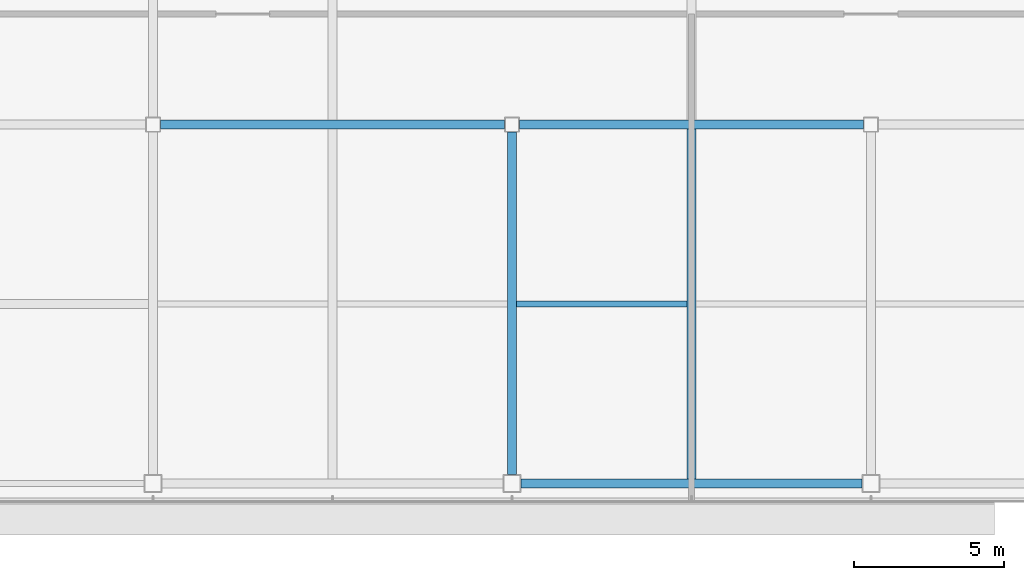
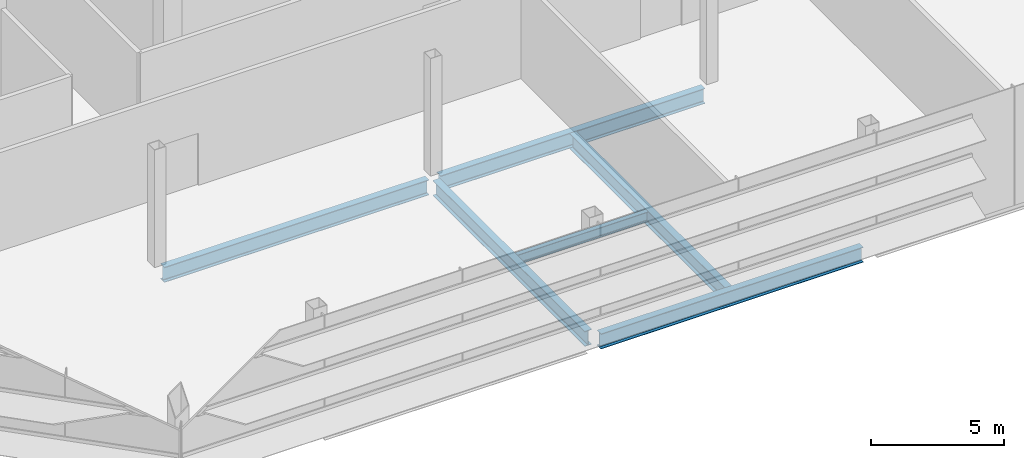
# One storey, part 4 of 26: 6 beams.
"""IFC4 building model written with IfcOpenShell, lengths in metres."""

from ifc_helpers import new_model, si_unit, direction, frame, origin, origin_2d, place, context, subcontext, project, spatial, i_section, extrude, material, material_profile, profile_set, type_object, element, save


model = new_model("IFC4")

# Units and contexts
model_context = context("Model", 3, precision=1e-05, world=origin(), true_north=direction((0.0, 1.0)))
body_context = subcontext(model_context, "Body", "Model", "MODEL_VIEW")
ifc_project = project(units=[si_unit("LENGTHUNIT", "METRE"), si_unit("AREAUNIT", "SQUARE_METRE"), si_unit("VOLUMEUNIT", "CUBIC_METRE"), si_unit("PLANEANGLEUNIT", "RADIAN"), si_unit("MASSUNIT", "GRAM", prefix="KILO")], contexts=[model_context])

# Site, building, storey
site_placement = place(None, origin())
site = spatial("IfcSite", under=ifc_project, at=site_placement, CompositionType="ELEMENT")
building_placement = place(site_placement, origin())
building = spatial("IfcBuilding", under=site, at=building_placement, Name="Sorahane Residences", CompositionType="ELEMENT")
storey_placement = place(building_placement, frame((0.0, 0.0, 257.60009765625)))
storey = spatial("IfcBuildingStorey", under=building, at=storey_placement, Name="L61", CompositionType="ELEMENT", Elevation=257.60009765625)

# Beams
ifc_material_1 = material(Name="Steel Q355B", Category="steel")
ifc_material_profile_1 = material_profile(ifc_material_1, i_section(OverallWidth=0.199951171875, OverallDepth=0.449951171875, WebThickness=0.009033203125, FlangeThickness=0.013916015625, FilletRadius=0.02001953125, at=origin_2d()), Name="HN 450x200x9x14")
ifc_profile_set_1 = profile_set([ifc_material_profile_1], Name="Steel Q355B")
beam_type_1 = type_object("IfcBeamType", Name="Steel floor beam HN 450x200x9x14 Q355B", PredefinedType="BEAM", material=ifc_profile_set_1)
beam_1_placement = place(storey_placement, frame((12.14990234375, 6.0, -0.445068359375), z_axis=(1.0, 0.0, 0.0), x_axis=(0.0, 1.0, 0.0)))
element("IfcBeam", 1, at=beam_1_placement, inside=storey, type_object=beam_type_1, Name="Beam L61 071", PredefinedType="BEAM", context=body_context, shape_type="SweptSolid", body=[
    extrude(i_section(OverallWidth=0.199951171875, OverallDepth=0.449951171875, WebThickness=0.009033203125, FlangeThickness=0.013916015625, FilletRadius=0.02001953125, at=origin_2d()), origin(), (0.0, 0.0, 1.0), 5.7001953125),
])
ifc_material_2 = material(Name="Steel Q355B", Category="steel")
ifc_material_profile_2 = material_profile(ifc_material_2, i_section(OverallWidth=0.300048828125, OverallDepth=0.699951171875, WebThickness=0.012939453125, FlangeThickness=0.02392578125, FilletRadius=0.028076171875, at=origin_2d()), Name="HN 700x300x13x24")
ifc_profile_set_2 = profile_set([ifc_material_profile_2], Name="Steel Q355B")
beam_type_2 = type_object("IfcBeamType", Name="Steel floor beam HN 700x300x13x24 Q355B", PredefinedType="BEAM", material=ifc_profile_set_2)
beam_2_placement = place(storey_placement, frame((12.300048828125, 0.0, -0.570068359375), z_axis=(1.0, 0.0, 0.0), x_axis=(0.0, 1.0, 0.0)))
element("IfcBeam", 2, at=beam_2_placement, inside=storey, type_object=beam_type_2, Name="Beam L61 002", PredefinedType="BEAM", context=body_context, shape_type="SweptSolid", body=[
    extrude(i_section(OverallWidth=0.300048828125, OverallDepth=0.699951171875, WebThickness=0.012939453125, FlangeThickness=0.02392578125, FilletRadius=0.028076171875, at=origin_2d()), origin(), (0.0, 0.0, 1.0), 11.39990234375),
])
for number, where, z_axis, x_axis, name in (
    (3, (0.25, 12.0, -0.570068359375), (1.0, 0.0, 0.0), (0.0, 1.0, 0.0), "Beam L61 006"),
    (4, (12.25, 12.0, -0.570068359375), (1.0, 0.0, 0.0), (0.0, 1.0, 0.0), "Beam L61 007"),
):
    element("IfcBeam", number, at=place(storey_placement, frame(where, z_axis=z_axis, x_axis=x_axis)), inside=storey, type_object=beam_type_2, Name=name, PredefinedType="BEAM", context=body_context, shape_type="SweptSolid", body=[
        extrude(i_section(OverallWidth=0.300048828125, OverallDepth=0.699951171875, WebThickness=0.012939453125, FlangeThickness=0.02392578125, FilletRadius=0.028076171875, at=origin_2d()), origin(), (0.0, 0.0, 1.0), 11.5),
    ])
beam_3_placement = place(storey_placement, frame((12.0, 0.300048828125, -0.570068359375), z_axis=(0.0, 1.0, 0.0), x_axis=(-1.0, 0.0, 0.0)))
element("IfcBeam", 5, at=beam_3_placement, inside=storey, type_object=beam_type_2, Name="Beam L61 034", PredefinedType="BEAM", context=body_context, shape_type="SweptSolid", body=[
    extrude(i_section(OverallWidth=0.300048828125, OverallDepth=0.699951171875, WebThickness=0.012939453125, FlangeThickness=0.02392578125, FilletRadius=0.028076171875, at=origin_2d()), origin(), (0.0, 0.0, 1.0), 11.449951171875),
])
beam_4_placement = place(storey_placement, frame((18.0, 0.14990234375, -0.570068359375), z_axis=(0.0, 1.0, 0.0), x_axis=(-1.0, 0.0, 0.0)))
element("IfcBeam", 6, at=beam_4_placement, inside=storey, type_object=beam_type_2, Name="Beam L61 036", PredefinedType="BEAM", context=body_context, shape_type="SweptSolid", body=[
    extrude(i_section(OverallWidth=0.300048828125, OverallDepth=0.699951171875, WebThickness=0.012939453125, FlangeThickness=0.02392578125, FilletRadius=0.028076171875, at=origin_2d()), origin(), (0.0, 0.0, 1.0), 11.7001953125),
])

save(model, "model.ifc")
